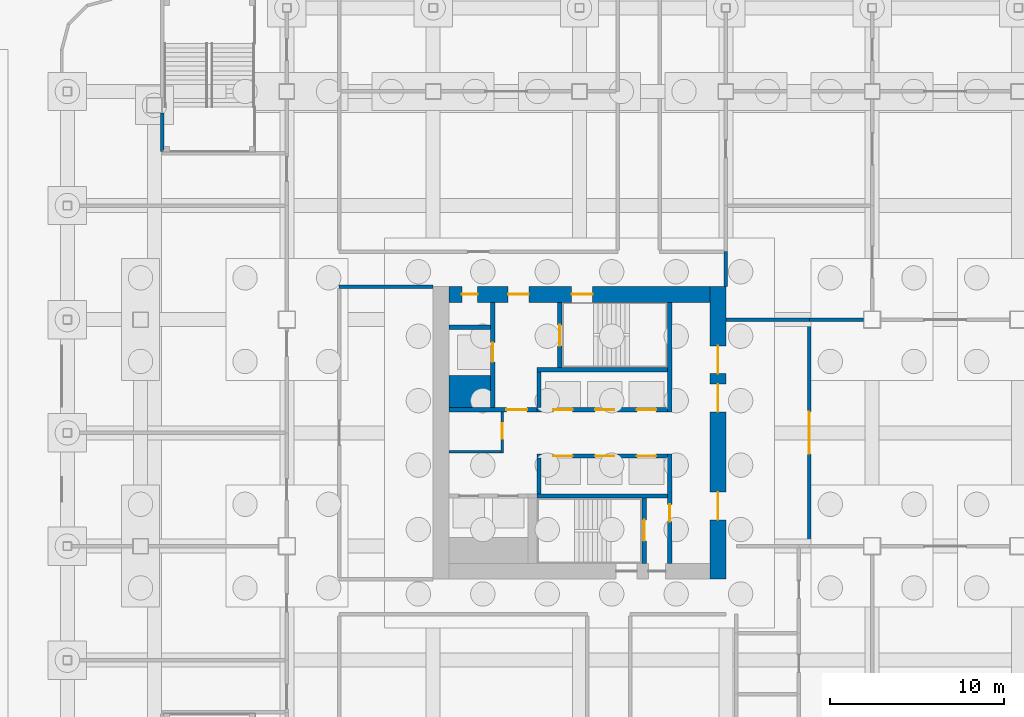
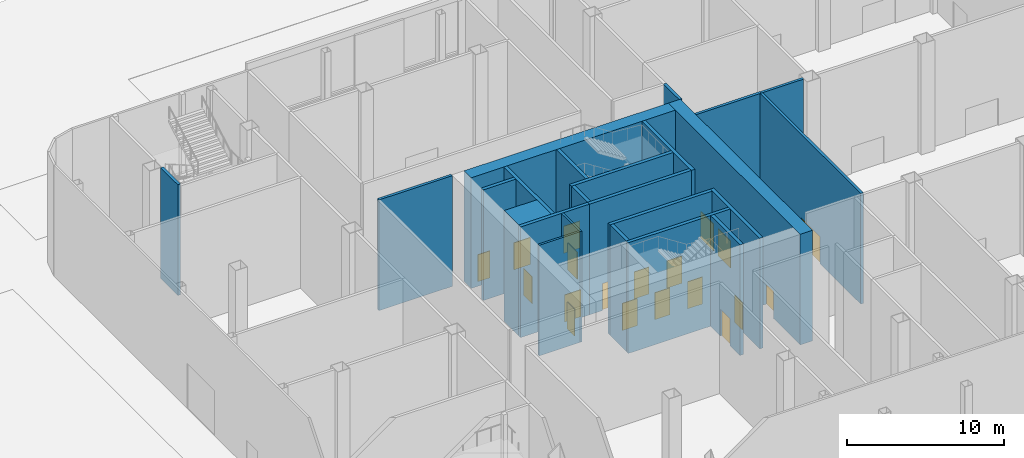
# One storey, part 38 of 113: 24 walls, 19 doors, 19 openings.
"""IFC4 building model written with IfcOpenShell, lengths in metres."""

from ifc_helpers import new_model, si_unit, direction, frame, frame_2d, origin, place, context, subcontext, project, spatial, rectangle, extrude, material, layer, layer_set, type_object, element, fill, save


model = new_model("IFC4")

# Units and contexts
model_context = context("Model", 3, precision=1e-05, world=origin(), true_north=direction((0.0, 1.0)))
body_context = subcontext(model_context, "Body", "Model", "MODEL_VIEW")
ifc_project = project(units=[si_unit("LENGTHUNIT", "METRE"), si_unit("AREAUNIT", "SQUARE_METRE"), si_unit("VOLUMEUNIT", "CUBIC_METRE"), si_unit("PLANEANGLEUNIT", "RADIAN"), si_unit("MASSUNIT", "GRAM", prefix="KILO")], contexts=[model_context])

# Site, building, storey
site_placement = place(None, origin())
site = spatial("IfcSite", under=ifc_project, at=site_placement, CompositionType="ELEMENT")
building_placement = place(site_placement, origin())
building = spatial("IfcBuilding", under=site, at=building_placement, Name="Hakoniwa Tower and Hamabe Station Hall", CompositionType="ELEMENT")
storey_placement = place(building_placement, origin())
storey = spatial("IfcBuildingStorey", under=building, at=storey_placement, Name="L01", CompositionType="ELEMENT", Elevation=0.0)

# Wall, opening, door
ifc_material_1 = material(Name="Gypsum board partition")
ifc_layer_1 = layer(ifc_material_1, 0.14990234375)
ifc_layer_set_1 = layer_set([ifc_layer_1], Name="CORE PARTITION 150 EI 60")
wall_type_1 = type_object("IfcWallType", Name="CORE PARTITION 150 EI 60", PredefinedType="PARTITIONING", material=ifc_layer_set_1)
wall_1_placement = place(storey_placement, frame((-29.625, -1.14990234375, 0.0), z_axis=(0.0, 0.0, 1.0), x_axis=(0.0, 1.0, 0.0)))
wall_1 = element("IfcWall", 1, at=wall_1_placement, inside=storey, type_object=wall_type_1, Name="Core partition PW0 west", PredefinedType="PARTITIONING", context=body_context, shape_type="SweptSolid", body=[
    extrude(rectangle(XDim=2.349853515625, YDim=0.14990234375, at=frame_2d((1.1748046875, 0.0))), origin(), (0.0, 0.0, 1.0), 8.60009765625),
])
opening_1_placement = place(wall_1_placement, frame((0.800048828125, 0.0, 0.0)))
opening_1 = element("IfcOpeningElement", 2, at=opening_1_placement, cuts=wall_1, Name="Opening CD-W-RM1-9", PredefinedType="OPENING", context=body_context, shape_type="SweptSolid", body=[
    extrude(rectangle(XDim=0.89990234375, YDim=2.10009765625, at=frame_2d((0.449951171875, 1.050048828125))), frame((0.0, 0.0849609375, 0.0), z_axis=(0.0, -1.0, 0.0), x_axis=(1.0, 0.0, 0.0)), (0.0, 0.0, 1.0), 0.169921875),
])
ifc_material_2 = material(Name="Steel fire door", Category="steel")
door_type_1 = type_object("IfcDoorType", Name="CORE DOOR 900 FD30", OperationType="NOTDEFINED", PredefinedType="DOOR", material=ifc_material_2)
door_1_placement = place(opening_1_placement, origin())
door_1 = element("IfcDoor", 3, at=door_1_placement, inside=storey, type_object=door_type_1, Name="Store room door", OperationType="SINGLE_SWING_RIGHT", OverallHeight=2.10009765625, OverallWidth=0.89990234375, PredefinedType="DOOR", context=body_context, shape_type="SweptSolid", body=[
    extrude(rectangle(XDim=0.89990234375, YDim=2.10009765625, at=frame_2d((0.449951171875, 1.050048828125))), frame((0.0, 0.02490234375, 0.0), z_axis=(0.0, -1.0, 0.0), x_axis=(1.0, 0.0, 0.0)), (0.0, 0.0, 1.0), 0.050048828125),
])
fill(opening_1, door_1)

# Wall
wall_2_placement = place(storey_placement, frame((-32.699951171875, -1.074951171875, 0.0), z_axis=(0.0, 0.0, 1.0), x_axis=(1.0, 0.0, 0.0)))
element("IfcWall", 4, at=wall_2_placement, inside=storey, type_object=wall_type_1, Name="Core partition PS west", PredefinedType="PARTITIONING", context=body_context, shape_type="SweptSolid", body=[
    extrude(rectangle(XDim=3.0, YDim=0.14990234375, at=frame_2d((1.5, 0.0))), origin(), (0.0, 0.0, 1.0), 8.60009765625),
])

# Wall, openings, doors
ifc_material_3 = material(Name="Concrete C80", Category="concrete")
ifc_layer_2 = layer(ifc_material_3, 0.89990234375)
ifc_layer_set_2 = layer_set([ifc_layer_2], Name="CORE WALL 900 C80")
wall_type_2 = type_object("IfcWallType", Name="CORE WALL 900 C80", PredefinedType="SHEAR", material=ifc_layer_set_2)
wall_3_placement = place(storey_placement, frame((-17.25, -8.39990234375, 0.0), z_axis=(0.0, 0.0, 1.0), x_axis=(0.0, 1.0, 0.0)))
wall_3 = element("IfcWall", 5, at=wall_3_placement, inside=storey, type_object=wall_type_2, Name="Core wall INNER west", PredefinedType="SHEAR", context=body_context, shape_type="SweptSolid", body=[
    extrude(rectangle(XDim=16.7998046875, YDim=0.89990234375, at=frame_2d((8.39990234375, 0.0))), origin(), (0.0, 0.0, 1.0), 8.60009765625),
])
opening_2_placement = place(wall_3_placement, frame((3.39990234375, 0.0, 0.0)))
opening_2 = element("IfcOpeningElement", 6, at=opening_2_placement, cuts=wall_3, Name="Opening CD-W-IN1-16", PredefinedType="OPENING", context=body_context, shape_type="SweptSolid", body=[
    extrude(rectangle(XDim=1.60009765625, YDim=2.10009765625, at=frame_2d((0.800048828125, 1.050048828125))), frame((0.0, 0.4599609375, 0.0), z_axis=(0.0, -1.0, 0.0), x_axis=(1.0, 0.0, 0.0)), (0.0, 0.0, 1.0), 0.919921875),
])
opening_3_placement = place(wall_3_placement, frame((9.60009765625, 0.0, 0.0)))
opening_3 = element("IfcOpeningElement", 7, at=opening_3_placement, cuts=wall_3, Name="Opening CD-W-IN2-16", PredefinedType="OPENING", context=body_context, shape_type="SweptSolid", body=[
    extrude(rectangle(XDim=1.60009765625, YDim=2.10009765625, at=frame_2d((0.800048828125, 1.050048828125))), frame((0.0, 0.4599609375, 0.0), z_axis=(0.0, -1.0, 0.0), x_axis=(1.0, 0.0, 0.0)), (0.0, 0.0, 1.0), 0.919921875),
])
opening_4_placement = place(wall_3_placement, frame((11.800048828125, 0.0, 0.0)))
opening_4 = element("IfcOpeningElement", 8, at=opening_4_placement, cuts=wall_3, Name="Opening CD-W-IN3-16", PredefinedType="OPENING", context=body_context, shape_type="SweptSolid", body=[
    extrude(rectangle(XDim=1.60009765625, YDim=2.10009765625, at=frame_2d((0.800048828125, 1.050048828125))), frame((0.0, 0.4599609375, 0.0), z_axis=(0.0, -1.0, 0.0), x_axis=(1.0, 0.0, 0.0)), (0.0, 0.0, 1.0), 0.919921875),
])
ifc_material_4 = material(Name="Steel fire door", Category="steel")
door_type_2 = type_object("IfcDoorType", Name="CORE DOOR 1600 FD60", OperationType="DOUBLE_DOOR_SINGLE_SWING", PredefinedType="DOOR", material=ifc_material_4)
door_2_placement = place(opening_2_placement, origin())
door_2 = element("IfcDoor", 9, at=door_2_placement, inside=storey, type_object=door_type_2, Name="Lift lobby door", OperationType="DOUBLE_DOOR_SINGLE_SWING", OverallHeight=2.10009765625, OverallWidth=1.60009765625, PredefinedType="DOOR", context=body_context, shape_type="SweptSolid", body=[
    extrude(rectangle(XDim=1.60009765625, YDim=2.10009765625, at=frame_2d((0.800048828125, 1.050048828125))), frame((0.0, 0.02490234375, 0.0), z_axis=(0.0, -1.0, 0.0), x_axis=(1.0, 0.0, 0.0)), (0.0, 0.0, 1.0), 0.050048828125),
])
fill(opening_2, door_2)
door_3_placement = place(opening_3_placement, origin())
door_3 = element("IfcDoor", 10, at=door_3_placement, inside=storey, type_object=door_type_2, Name="Lift lobby door", OperationType="DOUBLE_DOOR_SINGLE_SWING", OverallHeight=2.10009765625, OverallWidth=1.60009765625, PredefinedType="DOOR", context=body_context, shape_type="SweptSolid", body=[
    extrude(rectangle(XDim=1.60009765625, YDim=2.10009765625, at=frame_2d((0.800048828125, 1.050048828125))), frame((0.0, 0.02490234375, 0.0), z_axis=(0.0, -1.0, 0.0), x_axis=(1.0, 0.0, 0.0)), (0.0, 0.0, 1.0), 0.050048828125),
])
fill(opening_3, door_3)
door_4_placement = place(opening_4_placement, origin())
door_4 = element("IfcDoor", 11, at=door_4_placement, inside=storey, type_object=door_type_2, Name="Lift lobby door", OperationType="DOUBLE_DOOR_SINGLE_SWING", OverallHeight=2.10009765625, OverallWidth=1.60009765625, PredefinedType="DOOR", context=body_context, shape_type="SweptSolid", body=[
    extrude(rectangle(XDim=1.60009765625, YDim=2.10009765625, at=frame_2d((0.800048828125, 1.050048828125))), frame((0.0, 0.02490234375, 0.0), z_axis=(0.0, -1.0, 0.0), x_axis=(1.0, 0.0, 0.0)), (0.0, 0.0, 1.0), 0.050048828125),
])
fill(opening_4, door_4)

wall_4_placement = place(storey_placement, frame((-32.699951171875, 7.949951171875, 0.0), z_axis=(0.0, 0.0, 1.0), x_axis=(1.0, 0.0, 0.0)))
wall_4 = element("IfcWall", 12, at=wall_4_placement, inside=storey, type_object=wall_type_2, Name="Core wall NORTH west", PredefinedType="SHEAR", context=body_context, shape_type="SweptSolid", body=[
    extrude(rectangle(XDim=15.0, YDim=0.89990234375, at=frame_2d((7.5, 0.0))), origin(), (0.0, 0.0, 1.0), 8.60009765625),
])
opening_5_placement = place(wall_4_placement, frame((3.39990234375, 0.0, 0.0)))
opening_5 = element("IfcOpeningElement", 13, at=opening_5_placement, cuts=wall_4, Name="Opening CD-W-FN1-12", PredefinedType="OPENING", context=body_context, shape_type="SweptSolid", body=[
    extrude(rectangle(XDim=1.199951171875, YDim=2.10009765625, at=frame_2d((0.60009765625, 1.050048828125))), frame((0.0, 0.4599609375, 0.0), z_axis=(0.0, -1.0, 0.0), x_axis=(1.0, 0.0, 0.0)), (0.0, 0.0, 1.0), 0.919921875),
])
opening_6_placement = place(wall_4_placement, frame((0.75, 0.0, 0.0)))
opening_6 = element("IfcOpeningElement", 14, at=opening_6_placement, cuts=wall_4, Name="Opening CD-W-FN2-9", PredefinedType="OPENING", context=body_context, shape_type="SweptSolid", body=[
    extrude(rectangle(XDim=0.89990234375, YDim=2.10009765625, at=frame_2d((0.449951171875, 1.050048828125))), frame((0.0, 0.4599609375, 0.0), z_axis=(0.0, -1.0, 0.0), x_axis=(1.0, 0.0, 0.0)), (0.0, 0.0, 1.0), 0.919921875),
])
opening_7_placement = place(wall_4_placement, frame((7.050048828125, 0.0, 0.0)))
opening_7 = element("IfcOpeningElement", 15, at=opening_7_placement, cuts=wall_4, Name="Opening CD-W-FN4-12", PredefinedType="OPENING", context=body_context, shape_type="SweptSolid", body=[
    extrude(rectangle(XDim=1.199951171875, YDim=2.10009765625, at=frame_2d((0.60009765625, 1.050048828125))), frame((0.0, 0.4599609375, 0.0), z_axis=(0.0, -1.0, 0.0), x_axis=(1.0, 0.0, 0.0)), (0.0, 0.0, 1.0), 0.919921875),
])
ifc_material_5 = material(Name="Steel fire door", Category="steel")
door_type_3 = type_object("IfcDoorType", Name="CORE DOOR 1200 FD60", OperationType="DOUBLE_DOOR_SINGLE_SWING", PredefinedType="DOOR", material=ifc_material_5)
door_5_placement = place(opening_5_placement, origin())
door_5 = element("IfcDoor", 16, at=door_5_placement, inside=storey, type_object=door_type_3, Name="Stair vestibule door to the fire-fighting lobby", OperationType="DOUBLE_DOOR_SINGLE_SWING", OverallHeight=2.10009765625, OverallWidth=1.199951171875, PredefinedType="DOOR", context=body_context, shape_type="SweptSolid", body=[
    extrude(rectangle(XDim=1.199951171875, YDim=2.10009765625, at=frame_2d((0.60009765625, 1.050048828125))), frame((0.0, 0.02490234375, 0.0), z_axis=(0.0, -1.0, 0.0), x_axis=(1.0, 0.0, 0.0)), (0.0, 0.0, 1.0), 0.050048828125),
])
fill(opening_5, door_5)
door_6_placement = place(opening_7_placement, origin())
door_6 = element("IfcDoor", 17, at=door_6_placement, inside=storey, type_object=door_type_3, Name="Escape stair discharge door A", OperationType="DOUBLE_DOOR_SINGLE_SWING", OverallHeight=2.10009765625, OverallWidth=1.199951171875, PredefinedType="DOOR", context=body_context, shape_type="SweptSolid", body=[
    extrude(rectangle(XDim=1.199951171875, YDim=2.10009765625, at=frame_2d((0.60009765625, 1.050048828125))), frame((0.0, 0.02490234375, 0.0), z_axis=(0.0, -1.0, 0.0), x_axis=(1.0, 0.0, 0.0)), (0.0, 0.0, 1.0), 0.050048828125),
])
fill(opening_7, door_6)
door_7_placement = place(opening_6_placement, origin())
door_7 = element("IfcDoor", 18, at=door_7_placement, inside=storey, type_object=door_type_1, Name="Riser access door", OperationType="SINGLE_SWING_RIGHT", OverallHeight=2.10009765625, OverallWidth=0.89990234375, PredefinedType="DOOR", context=body_context, shape_type="SweptSolid", body=[
    extrude(rectangle(XDim=0.89990234375, YDim=2.10009765625, at=frame_2d((0.449951171875, 1.050048828125))), frame((0.0, 0.02490234375, 0.0), z_axis=(0.0, -1.0, 0.0), x_axis=(1.0, 0.0, 0.0)), (0.0, 0.0, 1.0), 0.050048828125),
])
fill(opening_6, door_7)

# Walls
ifc_material_6 = material(Name="Concrete C80", Category="concrete")
ifc_layer_3 = layer(ifc_material_6, 1.85009765625)
ifc_layer_set_3 = layer_set([ifc_layer_3], Name="CORE WEB WALL 1850 C80")
wall_type_3 = type_object("IfcWallType", Name="CORE WEB WALL 1850 C80", PredefinedType="SHEAR", material=ifc_layer_set_3)
wall_5_placement = place(storey_placement, frame((-32.699951171875, 2.375, 0.0), z_axis=(0.0, 0.0, 1.0), x_axis=(1.0, 0.0, 0.0)))
element("IfcWall", 19, at=wall_5_placement, inside=storey, type_object=wall_type_3, Name="Core wall CA west", PredefinedType="SHEAR", context=body_context, shape_type="SweptSolid", body=[
    extrude(rectangle(XDim=2.39990234375, YDim=1.85009765625, at=frame_2d((1.199951171875, 0.0))), origin(), (0.0, 0.0, 1.0), 8.60009765625),
])
ifc_material_7 = material(Name="Concrete C80", Category="concrete")
ifc_layer_4 = layer(ifc_material_7, 0.25)
ifc_layer_set_4 = layer_set([ifc_layer_4], Name="CORE WEB WALL 250 C80")
wall_type_4 = type_object("IfcWallType", Name="CORE WEB WALL 250 C80", PredefinedType="SHEAR", material=ifc_layer_set_4)
wall_6_placement = place(storey_placement, frame((-20.02490234375, 1.199951171875, 0.0), z_axis=(0.0, 0.0, 1.0), x_axis=(0.0, 1.0, 0.0)))
element("IfcWall", 20, at=wall_6_placement, inside=storey, type_object=wall_type_4, Name="Core wall W1N west", PredefinedType="SHEAR", context=body_context, shape_type="SweptSolid", body=[
    extrude(rectangle(XDim=6.300048828125, YDim=0.25, at=frame_2d((3.14990234375, 0.0))), origin(), (0.0, 0.0, 1.0), 8.60009765625),
])

# Wall, opening, door
wall_7_placement = place(storey_placement, frame((-20.02490234375, -7.5, 0.0), z_axis=(0.0, 0.0, 1.0), x_axis=(0.0, 1.0, 0.0)))
wall_7 = element("IfcWall", 21, at=wall_7_placement, inside=storey, type_object=wall_type_4, Name="Core wall W1S west", PredefinedType="SHEAR", context=body_context, shape_type="SweptSolid", body=[
    extrude(rectangle(XDim=6.300048828125, YDim=0.25, at=frame_2d((3.14990234375, 0.0))), origin(), (0.0, 0.0, 1.0), 8.60009765625),
])
opening_8_placement = place(wall_7_placement, frame((2.39990234375, 0.0, 0.0)))
opening_8 = element("IfcOpeningElement", 22, at=opening_8_placement, cuts=wall_7, Name="Opening CD-W-VS-10", PredefinedType="OPENING", context=body_context, shape_type="SweptSolid", body=[
    extrude(rectangle(XDim=1.0, YDim=2.10009765625, at=frame_2d((0.5, 1.050048828125))), frame((0.0, 0.135009765625, 0.0), z_axis=(0.0, -1.0, 0.0), x_axis=(1.0, 0.0, 0.0)), (0.0, 0.0, 1.0), 0.27001953125),
])
ifc_material_8 = material(Name="Steel fire door", Category="steel")
door_type_4 = type_object("IfcDoorType", Name="CORE DOOR 1000 FD60", OperationType="NOTDEFINED", PredefinedType="DOOR", material=ifc_material_8)
door_8_placement = place(opening_8_placement, origin())
door_8 = element("IfcDoor", 23, at=door_8_placement, inside=storey, type_object=door_type_4, Name="Stair vestibule door", OperationType="SINGLE_SWING_LEFT", OverallHeight=2.10009765625, OverallWidth=1.0, PredefinedType="DOOR", context=body_context, shape_type="SweptSolid", body=[
    extrude(rectangle(XDim=1.0, YDim=2.10009765625, at=frame_2d((0.5, 1.050048828125))), frame((0.0, 0.02490234375, 0.0), z_axis=(0.0, -1.0, 0.0), x_axis=(1.0, 0.0, 0.0)), (0.0, 0.0, 1.0), 0.050048828125),
])
fill(opening_8, door_8)

# Wall, openings, doors
wall_8_placement = place(storey_placement, frame((-27.64990234375, 1.324951171875, 0.0), z_axis=(0.0, 0.0, 1.0), x_axis=(1.0, 0.0, 0.0)))
wall_8 = element("IfcWall", 24, at=wall_8_placement, inside=storey, type_object=wall_type_4, Name="Core wall NF west", PredefinedType="SHEAR", context=body_context, shape_type="SweptSolid", body=[
    extrude(rectangle(XDim=7.5, YDim=0.25, at=frame_2d((3.75, 0.0))), origin(), (0.0, 0.0, 1.0), 8.60009765625),
])
opening_9_placement = place(wall_8_placement, frame((5.75, 0.0, 0.0)))
opening_9 = element("IfcOpeningElement", 25, at=opening_9_placement, cuts=wall_8, Name="Opening LD-LR1", PredefinedType="OPENING", context=body_context, shape_type="SweptSolid", body=[
    extrude(rectangle(XDim=1.10009765625, YDim=2.10009765625, at=frame_2d((0.550048828125, 1.050048828125))), frame((0.0, 0.135009765625, 0.0), z_axis=(0.0, -1.0, 0.0), x_axis=(1.0, 0.0, 0.0)), (0.0, 0.0, 1.0), 0.27001953125),
])
opening_10_placement = place(wall_8_placement, frame((3.35009765625, 0.0, 0.0)))
opening_10 = element("IfcOpeningElement", 26, at=opening_10_placement, cuts=wall_8, Name="Opening LD-LR2", PredefinedType="OPENING", context=body_context, shape_type="SweptSolid", body=[
    extrude(rectangle(XDim=1.10009765625, YDim=2.10009765625, at=frame_2d((0.550048828125, 1.050048828125))), frame((0.0, 0.135009765625, 0.0), z_axis=(0.0, -1.0, 0.0), x_axis=(1.0, 0.0, 0.0)), (0.0, 0.0, 1.0), 0.27001953125),
])
opening_11_placement = place(wall_8_placement, frame((0.949951171875, 0.0, 0.0)))
opening_11 = element("IfcOpeningElement", 27, at=opening_11_placement, cuts=wall_8, Name="Opening LD-LR3", PredefinedType="OPENING", context=body_context, shape_type="SweptSolid", body=[
    extrude(rectangle(XDim=1.10009765625, YDim=2.10009765625, at=frame_2d((0.550048828125, 1.050048828125))), frame((0.0, 0.135009765625, 0.0), z_axis=(0.0, -1.0, 0.0), x_axis=(1.0, 0.0, 0.0)), (0.0, 0.0, 1.0), 0.27001953125),
])
ifc_material_9 = material(Name="Stainless steel SUS304", Category="steel")
door_type_5 = type_object("IfcDoorType", Name="LIFT LANDING DOOR 1100 FD60", OperationType="DOUBLE_DOOR_SLIDING", PredefinedType="DOOR", material=ifc_material_9)
door_9_placement = place(opening_9_placement, origin())
door_9 = element("IfcDoor", 28, at=door_9_placement, inside=storey, type_object=door_type_5, Name="Lift landing door LR1 L01", OperationType="DOUBLE_DOOR_SLIDING", OverallHeight=2.10009765625, OverallWidth=1.10009765625, PredefinedType="DOOR", context=body_context, shape_type="SweptSolid", body=[
    extrude(rectangle(XDim=1.10009765625, YDim=2.10009765625, at=frame_2d((0.550048828125, 1.050048828125))), frame((0.0, 0.02490234375, 0.0), z_axis=(0.0, -1.0, 0.0), x_axis=(1.0, 0.0, 0.0)), (0.0, 0.0, 1.0), 0.050048828125),
])
fill(opening_9, door_9)
door_10_placement = place(opening_10_placement, origin())
door_10 = element("IfcDoor", 29, at=door_10_placement, inside=storey, type_object=door_type_5, Name="Lift landing door LR2 L01", OperationType="DOUBLE_DOOR_SLIDING", OverallHeight=2.10009765625, OverallWidth=1.10009765625, PredefinedType="DOOR", context=body_context, shape_type="SweptSolid", body=[
    extrude(rectangle(XDim=1.10009765625, YDim=2.10009765625, at=frame_2d((0.550048828125, 1.050048828125))), frame((0.0, 0.02490234375, 0.0), z_axis=(0.0, -1.0, 0.0), x_axis=(1.0, 0.0, 0.0)), (0.0, 0.0, 1.0), 0.050048828125),
])
fill(opening_10, door_10)
door_11_placement = place(opening_11_placement, origin())
door_11 = element("IfcDoor", 30, at=door_11_placement, inside=storey, type_object=door_type_5, Name="Lift landing door LR3 L01", OperationType="DOUBLE_DOOR_SLIDING", OverallHeight=2.10009765625, OverallWidth=1.10009765625, PredefinedType="DOOR", context=body_context, shape_type="SweptSolid", body=[
    extrude(rectangle(XDim=1.10009765625, YDim=2.10009765625, at=frame_2d((0.550048828125, 1.050048828125))), frame((0.0, 0.02490234375, 0.0), z_axis=(0.0, -1.0, 0.0), x_axis=(1.0, 0.0, 0.0)), (0.0, 0.0, 1.0), 0.050048828125),
])
fill(opening_11, door_11)

# Walls
wall_9_placement = place(storey_placement, frame((-27.52490234375, 1.449951171875, 0.0), z_axis=(0.0, 0.0, 1.0), x_axis=(0.0, 1.0, 0.0)))
element("IfcWall", 31, at=wall_9_placement, inside=storey, type_object=wall_type_4, Name="Core wall NE west", PredefinedType="SHEAR", context=body_context, shape_type="SweptSolid", body=[
    extrude(rectangle(XDim=2.050048828125, YDim=0.25, at=frame_2d((1.02490234375, 0.0))), origin(), (0.0, 0.0, 1.0), 8.60009765625),
])
wall_10_placement = place(storey_placement, frame((-27.64990234375, 3.625, 0.0), z_axis=(0.0, 0.0, 1.0), x_axis=(1.0, 0.0, 0.0)))
element("IfcWall", 32, at=wall_10_placement, inside=storey, type_object=wall_type_4, Name="Core wall NR west", PredefinedType="SHEAR", context=body_context, shape_type="SweptSolid", body=[
    extrude(rectangle(XDim=7.5, YDim=0.25, at=frame_2d((3.75, 0.0))), origin(), (0.0, 0.0, 1.0), 8.60009765625),
])

# Wall, opening, door
wall_11_placement = place(storey_placement, frame((-26.324951171875, 3.75, 0.0), z_axis=(0.0, 0.0, 1.0), x_axis=(0.0, 1.0, 0.0)))
wall_11 = element("IfcWall", 33, at=wall_11_placement, inside=storey, type_object=wall_type_4, Name="Core wall NSE west", PredefinedType="SHEAR", context=body_context, shape_type="SweptSolid", body=[
    extrude(rectangle(XDim=3.75, YDim=0.25, at=frame_2d((1.875, 0.0))), origin(), (0.0, 0.0, 1.0), 8.60009765625),
])
opening_12_placement = place(wall_11_placement, frame((1.25, 0.0, 0.0)))
opening_12 = element("IfcOpeningElement", 34, at=opening_12_placement, cuts=wall_11, Name="Opening CD-W-SN-12", PredefinedType="OPENING", context=body_context, shape_type="SweptSolid", body=[
    extrude(rectangle(XDim=1.199951171875, YDim=2.10009765625, at=frame_2d((0.60009765625, 1.050048828125))), frame((0.0, 0.135009765625, 0.0), z_axis=(0.0, -1.0, 0.0), x_axis=(1.0, 0.0, 0.0)), (0.0, 0.0, 1.0), 0.27001953125),
])
door_12_placement = place(opening_12_placement, origin())
door_12 = element("IfcDoor", 35, at=door_12_placement, inside=storey, type_object=door_type_3, Name="Escape stair door", OperationType="DOUBLE_DOOR_SINGLE_SWING", OverallHeight=2.10009765625, OverallWidth=1.199951171875, PredefinedType="DOOR", context=body_context, shape_type="SweptSolid", body=[
    extrude(rectangle(XDim=1.199951171875, YDim=2.10009765625, at=frame_2d((0.60009765625, 1.050048828125))), frame((0.0, 0.02490234375, 0.0), z_axis=(0.0, -1.0, 0.0), x_axis=(1.0, 0.0, 0.0)), (0.0, 0.0, 1.0), 0.050048828125),
])
fill(opening_12, door_12)

wall_12_placement = place(storey_placement, frame((-32.699951171875, 1.324951171875, 0.0), z_axis=(0.0, 0.0, 1.0), x_axis=(1.0, 0.0, 0.0)))
wall_12 = element("IfcWall", 36, at=wall_12_placement, inside=storey, type_object=wall_type_4, Name="Core wall ELN west", PredefinedType="SHEAR", context=body_context, shape_type="SweptSolid", body=[
    extrude(rectangle(XDim=5.050048828125, YDim=0.25, at=frame_2d((2.52490234375, 0.0))), origin(), (0.0, 0.0, 1.0), 8.60009765625),
])
opening_13_placement = place(wall_12_placement, frame((3.300048828125, 0.0, 0.0)))
opening_13 = element("IfcOpeningElement", 37, at=opening_13_placement, cuts=wall_12, Name="Opening CD-W-FL-12", PredefinedType="OPENING", context=body_context, shape_type="SweptSolid", body=[
    extrude(rectangle(XDim=1.199951171875, YDim=2.10009765625, at=frame_2d((0.60009765625, 1.050048828125))), frame((0.0, 0.135009765625, 0.0), z_axis=(0.0, -1.0, 0.0), x_axis=(1.0, 0.0, 0.0)), (0.0, 0.0, 1.0), 0.27001953125),
])
door_13_placement = place(opening_13_placement, origin())
door_13 = element("IfcDoor", 38, at=door_13_placement, inside=storey, type_object=door_type_3, Name="Stair vestibule door to the fire-fighting lobby", OperationType="DOUBLE_DOOR_SINGLE_SWING", OverallHeight=2.10009765625, OverallWidth=1.199951171875, PredefinedType="DOOR", context=body_context, shape_type="SweptSolid", body=[
    extrude(rectangle(XDim=1.199951171875, YDim=2.10009765625, at=frame_2d((0.60009765625, 1.050048828125))), frame((0.0, 0.02490234375, 0.0), z_axis=(0.0, -1.0, 0.0), x_axis=(1.0, 0.0, 0.0)), (0.0, 0.0, 1.0), 0.050048828125),
])
fill(opening_13, door_13)

wall_13_placement = place(storey_placement, frame((-30.175048828125, 1.449951171875, 0.0), z_axis=(0.0, 0.0, 1.0), x_axis=(0.0, 1.0, 0.0)))
wall_13 = element("IfcWall", 39, at=wall_13_placement, inside=storey, type_object=wall_type_4, Name="Core wall FFF west", PredefinedType="SHEAR", context=body_context, shape_type="SweptSolid", body=[
    extrude(rectangle(XDim=6.050048828125, YDim=0.25, at=frame_2d((3.02490234375, 0.0))), origin(), (0.0, 0.0, 1.0), 8.60009765625),
])
opening_14_placement = place(wall_13_placement, frame((2.625, 0.0, 0.0)))
opening_14 = element("IfcOpeningElement", 40, at=opening_14_placement, cuts=wall_13, Name="Opening LD-FF1", PredefinedType="OPENING", context=body_context, shape_type="SweptSolid", body=[
    extrude(rectangle(XDim=1.10009765625, YDim=2.10009765625, at=frame_2d((0.550048828125, 1.050048828125))), frame((0.0, 0.135009765625, 0.0), z_axis=(0.0, -1.0, 0.0), x_axis=(1.0, 0.0, 0.0)), (0.0, 0.0, 1.0), 0.27001953125),
])
door_14_placement = place(opening_14_placement, origin())
door_14 = element("IfcDoor", 41, at=door_14_placement, inside=storey, type_object=door_type_5, Name="Lift landing door FF1 L01", OperationType="DOUBLE_DOOR_SLIDING", OverallHeight=2.10009765625, OverallWidth=1.10009765625, PredefinedType="DOOR", context=body_context, shape_type="SweptSolid", body=[
    extrude(rectangle(XDim=1.10009765625, YDim=2.10009765625, at=frame_2d((0.550048828125, 1.050048828125))), frame((0.0, 0.02490234375, 0.0), z_axis=(0.0, -1.0, 0.0), x_axis=(1.0, 0.0, 0.0)), (0.0, 0.0, 1.0), 0.050048828125),
])
fill(opening_14, door_14)

# Wall
wall_14_placement = place(storey_placement, frame((-32.699951171875, 6.074951171875, 0.0), z_axis=(0.0, 0.0, 1.0), x_axis=(1.0, 0.0, 0.0)))
element("IfcWall", 42, at=wall_14_placement, inside=storey, type_object=wall_type_4, Name="Core wall C2 west", PredefinedType="SHEAR", context=body_context, shape_type="SweptSolid", body=[
    extrude(rectangle(XDim=2.39990234375, YDim=0.25, at=frame_2d((1.199951171875, 0.0))), origin(), (0.0, 0.0, 1.0), 8.60009765625),
])

# Wall, openings, doors
wall_15_placement = place(storey_placement, frame((-27.64990234375, -1.324951171875, 0.0), z_axis=(0.0, 0.0, 1.0), x_axis=(1.0, 0.0, 0.0)))
wall_15 = element("IfcWall", 43, at=wall_15_placement, inside=storey, type_object=wall_type_4, Name="Core wall SF west", PredefinedType="SHEAR", context=body_context, shape_type="SweptSolid", body=[
    extrude(rectangle(XDim=7.5, YDim=0.25, at=frame_2d((3.75, 0.0))), origin(), (0.0, 0.0, 1.0), 8.60009765625),
])
opening_15_placement = place(wall_15_placement, frame((5.75, 0.0, 0.0)))
opening_15 = element("IfcOpeningElement", 44, at=opening_15_placement, cuts=wall_15, Name="Opening LD-HR1", PredefinedType="OPENING", context=body_context, shape_type="SweptSolid", body=[
    extrude(rectangle(XDim=1.10009765625, YDim=2.10009765625, at=frame_2d((0.550048828125, 1.050048828125))), frame((0.0, 0.135009765625, 0.0), z_axis=(0.0, -1.0, 0.0), x_axis=(1.0, 0.0, 0.0)), (0.0, 0.0, 1.0), 0.27001953125),
])
opening_16_placement = place(wall_15_placement, frame((3.35009765625, 0.0, 0.0)))
opening_16 = element("IfcOpeningElement", 45, at=opening_16_placement, cuts=wall_15, Name="Opening LD-HR2", PredefinedType="OPENING", context=body_context, shape_type="SweptSolid", body=[
    extrude(rectangle(XDim=1.10009765625, YDim=2.10009765625, at=frame_2d((0.550048828125, 1.050048828125))), frame((0.0, 0.135009765625, 0.0), z_axis=(0.0, -1.0, 0.0), x_axis=(1.0, 0.0, 0.0)), (0.0, 0.0, 1.0), 0.27001953125),
])
opening_17_placement = place(wall_15_placement, frame((0.949951171875, 0.0, 0.0)))
opening_17 = element("IfcOpeningElement", 46, at=opening_17_placement, cuts=wall_15, Name="Opening LD-HR3", PredefinedType="OPENING", context=body_context, shape_type="SweptSolid", body=[
    extrude(rectangle(XDim=1.10009765625, YDim=2.10009765625, at=frame_2d((0.550048828125, 1.050048828125))), frame((0.0, 0.135009765625, 0.0), z_axis=(0.0, -1.0, 0.0), x_axis=(1.0, 0.0, 0.0)), (0.0, 0.0, 1.0), 0.27001953125),
])
door_15_placement = place(opening_15_placement, origin())
door_15 = element("IfcDoor", 47, at=door_15_placement, inside=storey, type_object=door_type_5, Name="Lift landing door HR1 L01", OperationType="DOUBLE_DOOR_SLIDING", OverallHeight=2.10009765625, OverallWidth=1.10009765625, PredefinedType="DOOR", context=body_context, shape_type="SweptSolid", body=[
    extrude(rectangle(XDim=1.10009765625, YDim=2.10009765625, at=frame_2d((0.550048828125, 1.050048828125))), frame((0.0, 0.02490234375, 0.0), z_axis=(0.0, -1.0, 0.0), x_axis=(1.0, 0.0, 0.0)), (0.0, 0.0, 1.0), 0.050048828125),
])
fill(opening_15, door_15)
door_16_placement = place(opening_16_placement, origin())
door_16 = element("IfcDoor", 48, at=door_16_placement, inside=storey, type_object=door_type_5, Name="Lift landing door HR2 L01", OperationType="DOUBLE_DOOR_SLIDING", OverallHeight=2.10009765625, OverallWidth=1.10009765625, PredefinedType="DOOR", context=body_context, shape_type="SweptSolid", body=[
    extrude(rectangle(XDim=1.10009765625, YDim=2.10009765625, at=frame_2d((0.550048828125, 1.050048828125))), frame((0.0, 0.02490234375, 0.0), z_axis=(0.0, -1.0, 0.0), x_axis=(1.0, 0.0, 0.0)), (0.0, 0.0, 1.0), 0.050048828125),
])
fill(opening_16, door_16)
door_17_placement = place(opening_17_placement, origin())
door_17 = element("IfcDoor", 49, at=door_17_placement, inside=storey, type_object=door_type_5, Name="Lift landing door HR3 L01", OperationType="DOUBLE_DOOR_SLIDING", OverallHeight=2.10009765625, OverallWidth=1.10009765625, PredefinedType="DOOR", context=body_context, shape_type="SweptSolid", body=[
    extrude(rectangle(XDim=1.10009765625, YDim=2.10009765625, at=frame_2d((0.550048828125, 1.050048828125))), frame((0.0, 0.02490234375, 0.0), z_axis=(0.0, -1.0, 0.0), x_axis=(1.0, 0.0, 0.0)), (0.0, 0.0, 1.0), 0.050048828125),
])
fill(opening_17, door_17)

# Walls
wall_16_placement = place(storey_placement, frame((-27.52490234375, -3.5, 0.0), z_axis=(0.0, 0.0, 1.0), x_axis=(0.0, 1.0, 0.0)))
element("IfcWall", 50, at=wall_16_placement, inside=storey, type_object=wall_type_4, Name="Core wall SE west", PredefinedType="SHEAR", context=body_context, shape_type="SweptSolid", body=[
    extrude(rectangle(XDim=2.050048828125, YDim=0.25, at=frame_2d((1.02490234375, 0.0))), origin(), (0.0, 0.0, 1.0), 8.60009765625),
])
wall_17_placement = place(storey_placement, frame((-27.64990234375, -3.625, 0.0), z_axis=(0.0, 0.0, 1.0), x_axis=(1.0, 0.0, 0.0)))
element("IfcWall", 51, at=wall_17_placement, inside=storey, type_object=wall_type_4, Name="Core wall SR west", PredefinedType="SHEAR", context=body_context, shape_type="SweptSolid", body=[
    extrude(rectangle(XDim=7.5, YDim=0.25, at=frame_2d((3.75, 0.0))), origin(), (0.0, 0.0, 1.0), 8.60009765625),
])

# Wall, opening, door
wall_18_placement = place(storey_placement, frame((-21.47509765625, -7.5, 0.0), z_axis=(0.0, 0.0, 1.0), x_axis=(0.0, 1.0, 0.0)))
wall_18 = element("IfcWall", 52, at=wall_18_placement, inside=storey, type_object=wall_type_4, Name="Core wall VE west", PredefinedType="SHEAR", context=body_context, shape_type="SweptSolid", body=[
    extrude(rectangle(XDim=3.75, YDim=0.25, at=frame_2d((1.875, 0.0))), origin(), (0.0, 0.0, 1.0), 8.60009765625),
])
opening_18_placement = place(wall_18_placement, frame((1.300048828125, 0.0, 0.0)))
opening_18 = element("IfcOpeningElement", 53, at=opening_18_placement, cuts=wall_18, Name="Opening CD-W-SS-12", PredefinedType="OPENING", context=body_context, shape_type="SweptSolid", body=[
    extrude(rectangle(XDim=1.199951171875, YDim=2.10009765625, at=frame_2d((0.60009765625, 1.050048828125))), frame((0.0, 0.135009765625, 0.0), z_axis=(0.0, -1.0, 0.0), x_axis=(1.0, 0.0, 0.0)), (0.0, 0.0, 1.0), 0.27001953125),
])
door_18_placement = place(opening_18_placement, origin())
door_18 = element("IfcDoor", 54, at=door_18_placement, inside=storey, type_object=door_type_3, Name="Escape stair door", OperationType="DOUBLE_DOOR_SINGLE_SWING", OverallHeight=2.10009765625, OverallWidth=1.199951171875, PredefinedType="DOOR", context=body_context, shape_type="SweptSolid", body=[
    extrude(rectangle(XDim=1.199951171875, YDim=2.10009765625, at=frame_2d((0.60009765625, 1.050048828125))), frame((0.0, 0.02490234375, 0.0), z_axis=(0.0, -1.0, 0.0), x_axis=(1.0, 0.0, 0.0)), (0.0, 0.0, 1.0), 0.050048828125),
])
fill(opening_18, door_18)

ifc_material_10 = material(Name="Fire-rated gypsum board partition")
ifc_layer_5 = layer(ifc_material_10, 0.199951171875)
ifc_layer_set_5 = layer_set([ifc_layer_5], Name="FIRE PARTITION 200 EI 60")
wall_type_5 = type_object("IfcWallType", Name="FIRE PARTITION 200 EI 60", PredefinedType="PARTITIONING", material=ifc_layer_set_5)
wall_19_placement = place(storey_placement, frame((-12.0, 6.39990234375, 0.0), z_axis=(0.0, 0.0, 1.0), x_axis=(0.0, -1.0, 0.0)))
wall_19 = element("IfcWall", 55, at=wall_19_placement, inside=storey, type_object=wall_type_5, Name="Wall Guest Lift Hall West / Lobby Lounge", PredefinedType="PARTITIONING", context=body_context, shape_type="SweptSolid", body=[
    extrude(rectangle(XDim=12.7998046875, YDim=0.199951171875, at=frame_2d((6.39990234375, 0.0))), origin(), (0.0, 0.0, 1.0), 8.60009765625),
])
opening_19_placement = place(wall_19_placement, frame((5.199951171875, 0.0, 0.0)))
opening_19 = element("IfcOpeningElement", 56, at=opening_19_placement, cuts=wall_19, Name="Opening PD-L01-003", PredefinedType="OPENING", context=body_context, shape_type="SweptSolid", body=[
    extrude(rectangle(XDim=2.39990234375, YDim=2.10009765625, at=frame_2d((1.199951171875, 1.050048828125))), frame((0.0, 0.10986328125, 0.0), z_axis=(0.0, -1.0, 0.0), x_axis=(1.0, 0.0, 0.0)), (0.0, 0.0, 1.0), 0.219970703125),
])
ifc_material_11 = material(Name="Glazed aluminium door", Category="aluminium")
door_type_6 = type_object("IfcDoorType", Name="DOUBLE GLAZED DOOR 2400X2100", OperationType="DOUBLE_DOOR_DOUBLE_SWING", PredefinedType="DOOR", material=ifc_material_11)
door_19_placement = place(opening_19_placement, origin())
door_19 = element("IfcDoor", 57, at=door_19_placement, inside=storey, type_object=door_type_6, Name="Door PD-L01-003", OperationType="DOUBLE_DOOR_DOUBLE_SWING", OverallHeight=2.10009765625, OverallWidth=2.39990234375, PredefinedType="DOOR", context=body_context, shape_type="SweptSolid", body=[
    extrude(rectangle(XDim=2.39990234375, YDim=2.10009765625, at=frame_2d((1.199951171875, 1.050048828125))), frame((0.0, 0.02490234375, 0.0), z_axis=(0.0, -1.0, 0.0), x_axis=(1.0, 0.0, 0.0)), (0.0, 0.0, 1.0), 0.050048828125),
])
fill(opening_19, door_19)

# Walls
wall_20_placement = place(storey_placement, frame((-16.800048828125, 6.5, 0.0), z_axis=(0.0, 0.0, 1.0), x_axis=(1.0, 0.0, 0.0)))
element("IfcWall", 58, at=wall_20_placement, inside=storey, type_object=wall_type_5, Name="Wall Guest Lift Hall West / Hotel Reception", PredefinedType="PARTITIONING", context=body_context, shape_type="SweptSolid", body=[
    extrude(rectangle(XDim=4.800048828125, YDim=0.199951171875, at=frame_2d((2.39990234375, 0.0))), origin(), (0.0, 0.0, 1.0), 8.60009765625),
])
wall_21_placement = place(storey_placement, frame((-12.0, 6.5, 0.0), z_axis=(0.0, 0.0, 1.0), x_axis=(1.0, 0.0, 0.0)))
element("IfcWall", 59, at=wall_21_placement, inside=storey, type_object=wall_type_5, Name="Wall Lobby Lounge / Hotel Reception", PredefinedType="PARTITIONING", context=body_context, shape_type="SweptSolid", body=[
    extrude(rectangle(XDim=3.10009765625, YDim=0.199951171875, at=frame_2d((1.550048828125, 0.0))), origin(), (0.0, 0.0, 1.0), 8.60009765625),
])
wall_22_placement = place(storey_placement, frame((-33.60009765625, 8.39990234375, 0.0), z_axis=(0.0, 0.0, 1.0), x_axis=(-1.0, 0.0, 0.0)))
element("IfcWall", 60, at=wall_22_placement, inside=storey, type_object=wall_type_5, Name="Wall West Service Corridor / Furniture Store", PredefinedType="PARTITIONING", context=body_context, shape_type="SweptSolid", body=[
    extrude(rectangle(XDim=5.39990234375, YDim=0.199951171875, at=frame_2d((2.699951171875, 0.0))), origin(), (0.0, 0.0, 1.0), 8.60009765625),
])
wall_23_placement = place(storey_placement, frame((-16.800048828125, 10.39990234375, 0.0), z_axis=(0.0, 0.0, 1.0), x_axis=(0.0, -1.0, 0.0)))
element("IfcWall", 61, at=wall_23_placement, inside=storey, type_object=wall_type_5, Name="Wall West Service Corridor / Hotel Reception", PredefinedType="PARTITIONING", context=body_context, shape_type="SweptSolid", body=[
    extrude(rectangle(XDim=2.0, YDim=0.199951171875, at=frame_2d((1.0, 0.0))), origin(), (0.0, 0.0, 1.0), 8.60009765625),
])
ifc_material_12 = material(Name="Concrete C40", Category="concrete")
ifc_layer_6 = layer(ifc_material_12, 0.199951171875)
ifc_layer_set_6 = layer_set([ifc_layer_6], Name="RC WALL 200 EI 60 C40")
wall_type_6 = type_object("IfcWallType", Name="RC WALL 200 EI 60 C40", PredefinedType="SHEAR", material=ifc_layer_set_6)
wall_24_placement = place(storey_placement, frame((-49.14990234375, 16.14990234375, 0.0), z_axis=(0.0, 0.0, 1.0), x_axis=(0.0, 1.0, 0.0)))
element("IfcWall", 62, at=wall_24_placement, inside=storey, type_object=wall_type_6, Name="Wall Escape Stair PS1 / Main Kitchen", PredefinedType="SHEAR", context=body_context, shape_type="SweptSolid", body=[
    extrude(rectangle(XDim=2.203125, YDim=0.199951171875, at=frame_2d((1.1015625, 0.0))), origin(), (0.0, 0.0, 1.0), 8.60009765625),
])

save(model, "model.ifc")
